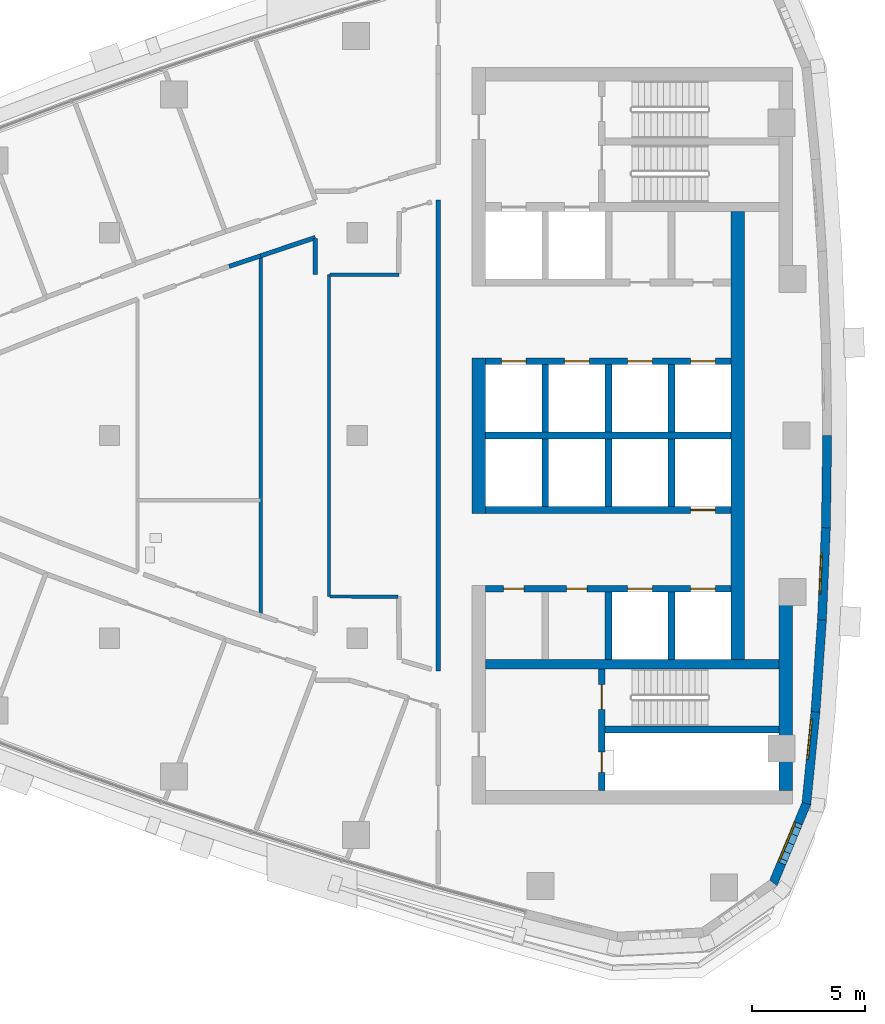
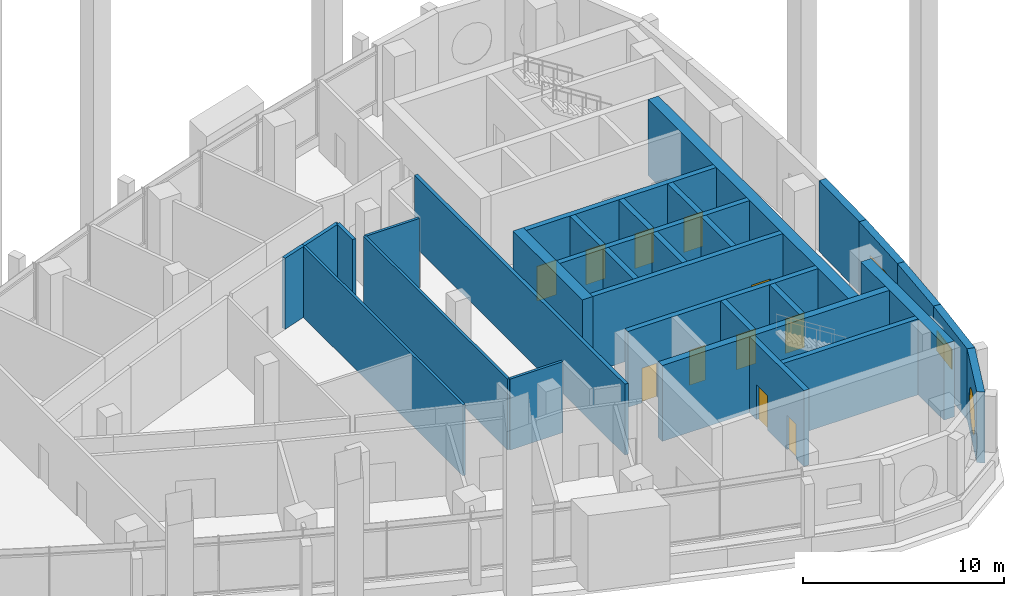
# One storey, part 8 of 15: 31 walls, 11 doors, 3 windows, 14 openings.
"""IFC4 building model written with IfcOpenShell, lengths in metres."""

from ifc_helpers import new_model, si_unit, direction, frame, frame_2d, origin, place, context, subcontext, project, spatial, polyline, rectangle, outline, extrude, material, layer, layer_set, type_object, element, fill, save


model = new_model("IFC4")

# Units and contexts
model_context = context("Model", 3, precision=1e-05, world=origin(), true_north=direction((0.0, 1.0)))
body_context = subcontext(model_context, "Body", "Model", "MODEL_VIEW")
ifc_project = project(units=[si_unit("LENGTHUNIT", "METRE"), si_unit("AREAUNIT", "SQUARE_METRE"), si_unit("VOLUMEUNIT", "CUBIC_METRE"), si_unit("PLANEANGLEUNIT", "RADIAN"), si_unit("MASSUNIT", "GRAM", prefix="KILO")], contexts=[model_context])

# Site, building, storey
site_placement = place(None, origin())
site = spatial("IfcSite", under=ifc_project, at=site_placement, CompositionType="ELEMENT")
building_placement = place(site_placement, origin())
building = spatial("IfcBuilding", under=site, at=building_placement, Name="Ostrand Prow Hotel Tower", CompositionType="ELEMENT")
storey_placement = place(building_placement, frame((0.0, 0.0, 216.199951171875)))
storey = spatial("IfcBuildingStorey", under=building, at=storey_placement, Name="L54", CompositionType="ELEMENT", Elevation=216.199951171875)

# Wall
ifc_material_1 = material(Name="Concrete C50/60", Category="concrete")
ifc_layer_1 = layer(ifc_material_1, 0.300048828125)
ifc_layer_set_1 = layer_set([ifc_layer_1], Name="Concrete C50/60")
wall_type_1 = type_object("IfcWallType", Name="Core wall 300 C50/60", PredefinedType="SHEAR", material=ifc_layer_set_1)
wall_1_placement = place(storey_placement, frame((50.699951171875, 0.0, 0.0), z_axis=(0.0, 0.0, 1.0), x_axis=(1.0, 0.0, 0.0)))
element("IfcWall", 1, at=wall_1_placement, inside=storey, type_object=wall_type_1, Name="Core wall PW-C", PredefinedType="SHEAR", context=body_context, shape_type="SweptSolid", body=[
    extrude(rectangle(XDim=10.900146484375, YDim=0.300048828125, at=frame_2d((5.4501953125, 0.0))), origin(), (0.0, 0.0, 1.0), 4.60009765625),
])

# Wall, openings, doors
wall_2_placement = place(storey_placement, frame((50.699951171875, 3.300048828125, 0.0), z_axis=(0.0, 0.0, 1.0), x_axis=(1.0, 0.0, 0.0)))
wall_2 = element("IfcWall", 2, at=wall_2_placement, inside=storey, type_object=wall_type_1, Name="Core wall PW-L1-N", PredefinedType="SHEAR", context=body_context, shape_type="SweptSolid", body=[
    extrude(rectangle(XDim=10.900146484375, YDim=0.300048828125, at=frame_2d((5.4501953125, 0.0))), origin(), (0.0, 0.0, 1.0), 4.60009765625),
])
opening_1_placement = place(wall_2_placement, frame((0.699951171875, 0.0, 0.0)))
opening_1 = element("IfcOpeningElement", 3, at=opening_1_placement, cuts=wall_2, Name="Opening LD", PredefinedType="OPENING", context=body_context, shape_type="SweptSolid", body=[
    extrude(rectangle(XDim=1.10009765625, YDim=2.10009765625, at=frame_2d((0.550048828125, 1.050048828125))), frame((0.0, 0.159912109375, 0.0), z_axis=(0.0, -1.0, 0.0), x_axis=(1.0, 0.0, 0.0)), (0.0, 0.0, 1.0), 0.320068359375),
])
opening_2_placement = place(wall_2_placement, frame((3.5, 0.0, 0.0)))
opening_2 = element("IfcOpeningElement", 4, at=opening_2_placement, cuts=wall_2, Name="Opening LD", PredefinedType="OPENING", context=body_context, shape_type="SweptSolid", body=[
    extrude(rectangle(XDim=1.10009765625, YDim=2.10009765625, at=frame_2d((0.550048828125, 1.050048828125))), frame((0.0, 0.159912109375, 0.0), z_axis=(0.0, -1.0, 0.0), x_axis=(1.0, 0.0, 0.0)), (0.0, 0.0, 1.0), 0.320068359375),
])
opening_3_placement = place(wall_2_placement, frame((6.300048828125, 0.0, 0.0)))
opening_3 = element("IfcOpeningElement", 5, at=opening_3_placement, cuts=wall_2, Name="Opening LD", PredefinedType="OPENING", context=body_context, shape_type="SweptSolid", body=[
    extrude(rectangle(XDim=1.10009765625, YDim=2.10009765625, at=frame_2d((0.550048828125, 1.050048828125))), frame((0.0, 0.159912109375, 0.0), z_axis=(0.0, -1.0, 0.0), x_axis=(1.0, 0.0, 0.0)), (0.0, 0.0, 1.0), 0.320068359375),
])
opening_4_placement = place(wall_2_placement, frame((9.10009765625, 0.0, 0.0)))
opening_4 = element("IfcOpeningElement", 6, at=opening_4_placement, cuts=wall_2, Name="Opening LD", PredefinedType="OPENING", context=body_context, shape_type="SweptSolid", body=[
    extrude(rectangle(XDim=1.10009765625, YDim=2.10009765625, at=frame_2d((0.550048828125, 1.050048828125))), frame((0.0, 0.159912109375, 0.0), z_axis=(0.0, -1.0, 0.0), x_axis=(1.0, 0.0, 0.0)), (0.0, 0.0, 1.0), 0.320068359375),
])
ifc_material_2 = material(Name="Stainless steel door", Category="steel")
door_type_1 = type_object("IfcDoorType", Name="Lift landing door 1100", OperationType="DOUBLE_DOOR_SLIDING", PredefinedType="DOOR", material=ifc_material_2)
door_1_placement = place(opening_1_placement, origin())
door_1 = element("IfcDoor", 7, at=door_1_placement, inside=storey, type_object=door_type_1, Name="LIFT LANDING DOOR", OperationType="DOUBLE_DOOR_SLIDING", OverallHeight=2.10009765625, OverallWidth=1.10009765625, PredefinedType="DOOR", context=body_context, shape_type="SweptSolid", body=[
    extrude(rectangle(XDim=1.10009765625, YDim=2.10009765625, at=frame_2d((0.550048828125, 1.050048828125))), frame((0.0, 0.02490234375, 0.0), z_axis=(0.0, -1.0, 0.0), x_axis=(1.0, 0.0, 0.0)), (0.0, 0.0, 1.0), 0.050048828125),
])
fill(opening_1, door_1)
door_2_placement = place(opening_2_placement, origin())
door_2 = element("IfcDoor", 8, at=door_2_placement, inside=storey, type_object=door_type_1, Name="LIFT LANDING DOOR", OperationType="DOUBLE_DOOR_SLIDING", OverallHeight=2.10009765625, OverallWidth=1.10009765625, PredefinedType="DOOR", context=body_context, shape_type="SweptSolid", body=[
    extrude(rectangle(XDim=1.10009765625, YDim=2.10009765625, at=frame_2d((0.550048828125, 1.050048828125))), frame((0.0, 0.02490234375, 0.0), z_axis=(0.0, -1.0, 0.0), x_axis=(1.0, 0.0, 0.0)), (0.0, 0.0, 1.0), 0.050048828125),
])
fill(opening_2, door_2)
door_3_placement = place(opening_3_placement, origin())
door_3 = element("IfcDoor", 9, at=door_3_placement, inside=storey, type_object=door_type_1, Name="LIFT LANDING DOOR", OperationType="DOUBLE_DOOR_SLIDING", OverallHeight=2.10009765625, OverallWidth=1.10009765625, PredefinedType="DOOR", context=body_context, shape_type="SweptSolid", body=[
    extrude(rectangle(XDim=1.10009765625, YDim=2.10009765625, at=frame_2d((0.550048828125, 1.050048828125))), frame((0.0, 0.02490234375, 0.0), z_axis=(0.0, -1.0, 0.0), x_axis=(1.0, 0.0, 0.0)), (0.0, 0.0, 1.0), 0.050048828125),
])
fill(opening_3, door_3)
door_4_placement = place(opening_4_placement, origin())
door_4 = element("IfcDoor", 10, at=door_4_placement, inside=storey, type_object=door_type_1, Name="LIFT LANDING DOOR", OperationType="DOUBLE_DOOR_SLIDING", OverallHeight=2.10009765625, OverallWidth=1.10009765625, PredefinedType="DOOR", context=body_context, shape_type="SweptSolid", body=[
    extrude(rectangle(XDim=1.10009765625, YDim=2.10009765625, at=frame_2d((0.550048828125, 1.050048828125))), frame((0.0, 0.02490234375, 0.0), z_axis=(0.0, -1.0, 0.0), x_axis=(1.0, 0.0, 0.0)), (0.0, 0.0, 1.0), 0.050048828125),
])
fill(opening_4, door_4)

# Walls
for number, where, z_axis, x_axis, name in (
    (11, (53.35009765625, 0.14990234375, 0.0), (0.0, 0.0, 1.0), (0.0, 1.0, 0.0), "Core wall PW-R1-NB"),
    (12, (56.14990234375, 0.14990234375, 0.0), (0.0, 0.0, 1.0), (0.0, 1.0, 0.0), "Core wall PW-R2-NB"),
    (13, (58.949951171875, 0.14990234375, 0.0), (0.0, 0.0, 1.0), (0.0, 1.0, 0.0), "Core wall PW-R3-NB"),
):
    element("IfcWall", number, at=place(storey_placement, frame(where, z_axis=z_axis, x_axis=x_axis)), inside=storey, type_object=wall_type_1, Name=name, PredefinedType="SHEAR", context=body_context, shape_type="SweptSolid", body=[
        extrude(rectangle(XDim=3.0, YDim=0.300048828125, at=frame_2d((1.5, 0.0))), origin(), (0.0, 0.0, 1.0), 4.60009765625),
    ])

# Wall, opening, door
wall_3_placement = place(storey_placement, frame((50.699951171875, -3.300048828125, 0.0), z_axis=(0.0, 0.0, 1.0), x_axis=(1.0, 0.0, 0.0)))
wall_3 = element("IfcWall", 14, at=wall_3_placement, inside=storey, type_object=wall_type_1, Name="Core wall PW-L1-S", PredefinedType="SHEAR", context=body_context, shape_type="SweptSolid", body=[
    extrude(rectangle(XDim=10.900146484375, YDim=0.300048828125, at=frame_2d((5.4501953125, 0.0))), origin(), (0.0, 0.0, 1.0), 4.60009765625),
])
opening_5_placement = place(wall_3_placement, frame((9.10009765625, 0.0, 0.0)))
opening_5 = element("IfcOpeningElement", 15, at=opening_5_placement, cuts=wall_3, Name="Opening LD", PredefinedType="OPENING", context=body_context, shape_type="SweptSolid", body=[
    extrude(rectangle(XDim=1.10009765625, YDim=2.10009765625, at=frame_2d((0.550048828125, 1.050048828125))), frame((0.0, 0.159912109375, 0.0), z_axis=(0.0, -1.0, 0.0), x_axis=(1.0, 0.0, 0.0)), (0.0, 0.0, 1.0), 0.320068359375),
])
door_5_placement = place(opening_5_placement, origin())
door_5 = element("IfcDoor", 16, at=door_5_placement, inside=storey, type_object=door_type_1, Name="LIFT LANDING DOOR", OperationType="DOUBLE_DOOR_SLIDING", OverallHeight=2.10009765625, OverallWidth=1.10009765625, PredefinedType="DOOR", context=body_context, shape_type="SweptSolid", body=[
    extrude(rectangle(XDim=1.10009765625, YDim=2.10009765625, at=frame_2d((0.550048828125, 1.050048828125))), frame((0.0, 0.02490234375, 0.0), z_axis=(0.0, -1.0, 0.0), x_axis=(1.0, 0.0, 0.0)), (0.0, 0.0, 1.0), 0.050048828125),
])
fill(opening_5, door_5)

# Wall, openings, doors
wall_4_placement = place(storey_placement, frame((50.699951171875, -6.800048828125, 0.0), z_axis=(0.0, 0.0, 1.0), x_axis=(1.0, 0.0, 0.0)))
wall_4 = element("IfcWall", 17, at=wall_4_placement, inside=storey, type_object=wall_type_1, Name="Core wall PW-L2-S", PredefinedType="SHEAR", context=body_context, shape_type="SweptSolid", body=[
    extrude(rectangle(XDim=10.900146484375, YDim=0.300048828125, at=frame_2d((5.4501953125, 0.0))), origin(), (0.0, 0.0, 1.0), 4.60009765625),
])
opening_6_placement = place(wall_4_placement, frame((6.300048828125, 0.0, 0.0)))
opening_6 = element("IfcOpeningElement", 18, at=opening_6_placement, cuts=wall_4, Name="Opening LD", PredefinedType="OPENING", context=body_context, shape_type="SweptSolid", body=[
    extrude(rectangle(XDim=1.10009765625, YDim=2.10009765625, at=frame_2d((0.550048828125, 1.050048828125))), frame((0.0, 0.159912109375, 0.0), z_axis=(0.0, -1.0, 0.0), x_axis=(1.0, 0.0, 0.0)), (0.0, 0.0, 1.0), 0.320068359375),
])
opening_7_placement = place(wall_4_placement, frame((9.10009765625, 0.0, 0.0)))
opening_7 = element("IfcOpeningElement", 19, at=opening_7_placement, cuts=wall_4, Name="Opening LD", PredefinedType="OPENING", context=body_context, shape_type="SweptSolid", body=[
    extrude(rectangle(XDim=1.10009765625, YDim=2.10009765625, at=frame_2d((0.550048828125, 1.050048828125))), frame((0.0, 0.159912109375, 0.0), z_axis=(0.0, -1.0, 0.0), x_axis=(1.0, 0.0, 0.0)), (0.0, 0.0, 1.0), 0.320068359375),
])
opening_8_placement = place(wall_4_placement, frame((0.800048828125, 0.0, 0.0)))
opening_8 = element("IfcOpeningElement", 20, at=opening_8_placement, cuts=wall_4, Name="Opening FD2", PredefinedType="OPENING", context=body_context, shape_type="SweptSolid", body=[
    extrude(rectangle(XDim=0.89990234375, YDim=2.10009765625, at=frame_2d((0.449951171875, 1.050048828125))), frame((0.0, 0.159912109375, 0.0), z_axis=(0.0, -1.0, 0.0), x_axis=(1.0, 0.0, 0.0)), (0.0, 0.0, 1.0), 0.320068359375),
])
opening_9_placement = place(wall_4_placement, frame((3.60009765625, 0.0, 0.0)))
opening_9 = element("IfcOpeningElement", 21, at=opening_9_placement, cuts=wall_4, Name="Opening FD2", PredefinedType="OPENING", context=body_context, shape_type="SweptSolid", body=[
    extrude(rectangle(XDim=0.89990234375, YDim=2.10009765625, at=frame_2d((0.449951171875, 1.050048828125))), frame((0.0, 0.159912109375, 0.0), z_axis=(0.0, -1.0, 0.0), x_axis=(1.0, 0.0, 0.0)), (0.0, 0.0, 1.0), 0.320068359375),
])
ifc_material_3 = material(Name="Steel fire door", Category="steel")
door_type_2 = type_object("IfcDoorType", Name="Fire door 900 EI120", OperationType="SINGLE_SWING_LEFT", PredefinedType="DOOR", material=ifc_material_3)
door_6_placement = place(opening_8_placement, origin())
door_6 = element("IfcDoor", 22, at=door_6_placement, inside=storey, type_object=door_type_2, Name="DOOR", OperationType="SINGLE_SWING_LEFT", OverallHeight=2.10009765625, OverallWidth=0.89990234375, PredefinedType="DOOR", context=body_context, shape_type="SweptSolid", body=[
    extrude(rectangle(XDim=0.89990234375, YDim=2.10009765625, at=frame_2d((0.449951171875, 1.050048828125))), frame((0.0, 0.02490234375, 0.0), z_axis=(0.0, -1.0, 0.0), x_axis=(1.0, 0.0, 0.0)), (0.0, 0.0, 1.0), 0.050048828125),
])
fill(opening_8, door_6)
door_7_placement = place(opening_9_placement, origin())
door_7 = element("IfcDoor", 23, at=door_7_placement, inside=storey, type_object=door_type_2, Name="DOOR", OperationType="SINGLE_SWING_LEFT", OverallHeight=2.10009765625, OverallWidth=0.89990234375, PredefinedType="DOOR", context=body_context, shape_type="SweptSolid", body=[
    extrude(rectangle(XDim=0.89990234375, YDim=2.10009765625, at=frame_2d((0.449951171875, 1.050048828125))), frame((0.0, 0.02490234375, 0.0), z_axis=(0.0, -1.0, 0.0), x_axis=(1.0, 0.0, 0.0)), (0.0, 0.0, 1.0), 0.050048828125),
])
fill(opening_9, door_7)
door_8_placement = place(opening_6_placement, origin())
door_8 = element("IfcDoor", 24, at=door_8_placement, inside=storey, type_object=door_type_1, Name="LIFT LANDING DOOR", OperationType="DOUBLE_DOOR_SLIDING", OverallHeight=2.10009765625, OverallWidth=1.10009765625, PredefinedType="DOOR", context=body_context, shape_type="SweptSolid", body=[
    extrude(rectangle(XDim=1.10009765625, YDim=2.10009765625, at=frame_2d((0.550048828125, 1.050048828125))), frame((0.0, 0.02490234375, 0.0), z_axis=(0.0, -1.0, 0.0), x_axis=(1.0, 0.0, 0.0)), (0.0, 0.0, 1.0), 0.050048828125),
])
fill(opening_6, door_8)
door_9_placement = place(opening_7_placement, origin())
door_9 = element("IfcDoor", 25, at=door_9_placement, inside=storey, type_object=door_type_1, Name="LIFT LANDING DOOR", OperationType="DOUBLE_DOOR_SLIDING", OverallHeight=2.10009765625, OverallWidth=1.10009765625, PredefinedType="DOOR", context=body_context, shape_type="SweptSolid", body=[
    extrude(rectangle(XDim=1.10009765625, YDim=2.10009765625, at=frame_2d((0.550048828125, 1.050048828125))), frame((0.0, 0.02490234375, 0.0), z_axis=(0.0, -1.0, 0.0), x_axis=(1.0, 0.0, 0.0)), (0.0, 0.0, 1.0), 0.050048828125),
])
fill(opening_7, door_9)

# Walls
for number, where, z_axis, x_axis, name in (
    (26, (53.35009765625, -3.14990234375, 0.0), (0.0, 0.0, 1.0), (0.0, 1.0, 0.0), "Core wall PW-R1-SB"),
    (27, (56.14990234375, -3.14990234375, 0.0), (0.0, 0.0, 1.0), (0.0, 1.0, 0.0), "Core wall PW-R2-SB"),
    (28, (56.14990234375, -9.949951171875, 0.0), (0.0, 0.0, 1.0), (0.0, 1.0, 0.0), "Core wall PW-R2-SA"),
    (29, (58.949951171875, -3.14990234375, 0.0), (0.0, 0.0, 1.0), (0.0, 1.0, 0.0), "Core wall PW-R3-SB"),
    (30, (58.949951171875, -9.949951171875, 0.0), (0.0, 0.0, 1.0), (0.0, 1.0, 0.0), "Core wall PW-R3-SA"),
):
    element("IfcWall", number, at=place(storey_placement, frame(where, z_axis=z_axis, x_axis=x_axis)), inside=storey, type_object=wall_type_1, Name=name, PredefinedType="SHEAR", context=body_context, shape_type="SweptSolid", body=[
        extrude(rectangle(XDim=3.0, YDim=0.300048828125, at=frame_2d((1.5, 0.0))), origin(), (0.0, 0.0, 1.0), 4.60009765625),
    ])

# Wall, openings, doors
wall_5_placement = place(storey_placement, frame((55.85009765625, -15.75, 0.0), z_axis=(0.0, 0.0, 1.0), x_axis=(0.0, 1.0, 0.0)))
wall_5 = element("IfcWall", 31, at=wall_5_placement, inside=storey, type_object=wall_type_1, Name="Core wall PW-VS", PredefinedType="SHEAR", context=body_context, shape_type="SweptSolid", body=[
    extrude(rectangle(XDim=5.39990234375, YDim=0.300048828125, at=frame_2d((2.699951171875, 0.0))), origin(), (0.0, 0.0, 1.0), 4.60009765625),
])
opening_10_placement = place(wall_5_placement, frame((3.60009765625, 0.0, 0.0)))
opening_10 = element("IfcOpeningElement", 32, at=opening_10_placement, cuts=wall_5, Name="Opening FD1", PredefinedType="OPENING", context=body_context, shape_type="SweptSolid", body=[
    extrude(rectangle(XDim=1.10009765625, YDim=2.10009765625, at=frame_2d((0.550048828125, 1.050048828125))), frame((0.0, 0.159912109375, 0.0), z_axis=(0.0, -1.0, 0.0), x_axis=(1.0, 0.0, 0.0)), (0.0, 0.0, 1.0), 0.320068359375),
])
opening_11_placement = place(wall_5_placement, frame((0.800048828125, 0.0, 0.0)))
opening_11 = element("IfcOpeningElement", 33, at=opening_11_placement, cuts=wall_5, Name="Opening FD2", PredefinedType="OPENING", context=body_context, shape_type="SweptSolid", body=[
    extrude(rectangle(XDim=0.89990234375, YDim=2.10009765625, at=frame_2d((0.449951171875, 1.050048828125))), frame((0.0, 0.159912109375, 0.0), z_axis=(0.0, -1.0, 0.0), x_axis=(1.0, 0.0, 0.0)), (0.0, 0.0, 1.0), 0.320068359375),
])
ifc_material_4 = material(Name="Steel fire door", Category="steel")
door_type_3 = type_object("IfcDoorType", Name="Fire door 1100 EI120", OperationType="SINGLE_SWING_RIGHT", PredefinedType="DOOR", material=ifc_material_4)
door_10_placement = place(opening_10_placement, origin())
door_10 = element("IfcDoor", 34, at=door_10_placement, inside=storey, type_object=door_type_3, Name="FIRE DOOR", OperationType="SINGLE_SWING_RIGHT", OverallHeight=2.10009765625, OverallWidth=1.10009765625, PredefinedType="DOOR", context=body_context, shape_type="SweptSolid", body=[
    extrude(rectangle(XDim=1.10009765625, YDim=2.10009765625, at=frame_2d((0.550048828125, 1.050048828125))), frame((0.0, 0.02490234375, 0.0), z_axis=(0.0, -1.0, 0.0), x_axis=(1.0, 0.0, 0.0)), (0.0, 0.0, 1.0), 0.050048828125),
])
fill(opening_10, door_10)
door_11_placement = place(opening_11_placement, origin())
door_11 = element("IfcDoor", 35, at=door_11_placement, inside=storey, type_object=door_type_2, Name="FIRE DOOR", OperationType="SINGLE_SWING_LEFT", OverallHeight=2.10009765625, OverallWidth=0.89990234375, PredefinedType="DOOR", context=body_context, shape_type="SweptSolid", body=[
    extrude(rectangle(XDim=0.89990234375, YDim=2.10009765625, at=frame_2d((0.449951171875, 1.050048828125))), frame((0.0, 0.02490234375, 0.0), z_axis=(0.0, -1.0, 0.0), x_axis=(1.0, 0.0, 0.0)), (0.0, 0.0, 1.0), 0.050048828125),
])
fill(opening_11, door_11)

# Walls
wall_6_placement = place(storey_placement, frame((56.0, -13.050048828125, 0.0), z_axis=(0.0, 0.0, 1.0), x_axis=(1.0, 0.0, 0.0)))
element("IfcWall", 36, at=wall_6_placement, inside=storey, type_object=wall_type_1, Name="Core wall PW-ST2R", PredefinedType="SHEAR", context=body_context, shape_type="SweptSolid", body=[
    extrude(rectangle(XDim=7.719970703125, YDim=0.300048828125, at=frame_2d((3.85986328125, 0.0))), origin(), (0.0, 0.0, 1.0), 4.60009765625),
])
ifc_material_5 = material(Name="Concrete C50/60", Category="concrete")
ifc_layer_2 = layer(ifc_material_5, 0.39990234375)
ifc_layer_set_2 = layer_set([ifc_layer_2], Name="Concrete C50/60")
wall_type_2 = type_object("IfcWallType", Name="Core wall 400 C50/60", PredefinedType="SHEAR", material=ifc_layer_set_2)
wall_7_placement = place(storey_placement, frame((50.699951171875, -10.14990234375, 0.0), z_axis=(0.0, 0.0, 1.0), x_axis=(1.0, 0.0, 0.0)))
element("IfcWall", 37, at=wall_7_placement, inside=storey, type_object=wall_type_2, Name="Core wall PW-BS", PredefinedType="SHEAR", context=body_context, shape_type="SweptSolid", body=[
    extrude(rectangle(XDim=13.02001953125, YDim=0.39990234375, at=frame_2d((6.510009765625, 0.0))), origin(), (0.0, 0.0, 1.0), 4.60009765625),
])
ifc_material_6 = material(Name="Concrete C50/60", Category="concrete")
ifc_layer_3 = layer(ifc_material_6, 0.60009765625)
ifc_layer_set_3 = layer_set([ifc_layer_3], Name="Concrete C50/60")
wall_type_3 = type_object("IfcWallType", Name="Core wall 600 C50/60", PredefinedType="SHEAR", material=ifc_layer_set_3)
wall_8_placement = place(storey_placement, frame((50.39990234375, -3.449951171875, 0.0), z_axis=(0.0, 0.0, 1.0), x_axis=(0.0, 1.0, 0.0)))
element("IfcWall", 38, at=wall_8_placement, inside=storey, type_object=wall_type_3, Name="Core wall CW-W-C", PredefinedType="SHEAR", context=body_context, shape_type="SweptSolid", body=[
    extrude(rectangle(XDim=6.89990234375, YDim=0.60009765625, at=frame_2d((3.449951171875, 0.0))), origin(), (0.0, 0.0, 1.0), 4.60009765625),
])
wall_9_placement = place(storey_placement, frame((64.02001953125, -15.75, 0.0), z_axis=(0.0, 0.0, 1.0), x_axis=(0.0, 1.0, 0.0)))
element("IfcWall", 39, at=wall_9_placement, inside=storey, type_object=wall_type_3, Name="Core wall CW-E-S", PredefinedType="SHEAR", context=body_context, shape_type="SweptSolid", body=[
    extrude(rectangle(XDim=8.247802734375, YDim=0.60009765625, at=frame_2d((4.1240234375, 0.0))), origin(), (0.0, 0.0, 1.0), 4.60009765625),
])
wall_10_placement = place(storey_placement, frame((61.89990234375, -9.949951171875, 0.0), z_axis=(0.0, 0.0, 1.0), x_axis=(0.0, 1.0, 0.0)))
element("IfcWall", 40, at=wall_10_placement, inside=storey, type_object=wall_type_3, Name="Core wall CW-E-C", PredefinedType="SHEAR", context=body_context, shape_type="SweptSolid", body=[
    extrude(rectangle(XDim=19.89990234375, YDim=0.60009765625, at=frame_2d((9.949951171875, 0.0))), origin(), (0.0, 0.0, 1.0), 4.60009765625),
])
ifc_material_7 = material(Name="Plasterboard partition")
ifc_layer_4 = layer(ifc_material_7, 0.14990234375)
ifc_layer_set_4 = layer_set([ifc_layer_4], Name="Plasterboard partition")
wall_type_4 = type_object("IfcWallType", Name="Partition 150 room partition", PredefinedType="PARTITIONING", material=ifc_layer_set_4)
wall_11_placement = place(storey_placement, frame((40.70947265625, -7.978759765625, 0.0), z_axis=(0.0, 0.0, 1.0), x_axis=(0.0, 1.0, 0.0)))
element("IfcWall", 41, at=wall_11_placement, inside=storey, type_object=wall_type_4, Name="ROOM PARTITION", PredefinedType="PARTITIONING", context=body_context, shape_type="SweptSolid", body=[
    extrude(rectangle(XDim=15.95751953125, YDim=0.14990234375, at=frame_2d((7.978759765625, 0.0))), origin(), (0.0, 0.0, 1.0), 4.300048828125),
])
wall_12_placement = place(storey_placement, frame((43.744384765625, -7.14990234375, 0.0), z_axis=(0.0, 0.0, 1.0), x_axis=(0.0, 1.0, 0.0)))
element("IfcWall", 42, at=wall_12_placement, inside=storey, type_object=wall_type_4, Name="ROOM PARTITION", PredefinedType="PARTITIONING", context=body_context, shape_type="SweptSolid", body=[
    extrude(rectangle(XDim=14.2998046875, YDim=0.14990234375, at=frame_2d((7.14990234375, 0.0))), origin(), (0.0, 0.0, 1.0), 4.300048828125),
])
wall_13_placement = place(storey_placement, frame((43.7841796875, 7.14501953125, 0.0), z_axis=(0.0, 0.0, 1.0), x_axis=(0.999999971515, 0.000238682466, 0.0)))
element("IfcWall", 43, at=wall_13_placement, inside=storey, type_object=wall_type_4, Name="ROOM PARTITION", PredefinedType="PARTITIONING", context=body_context, shape_type="SweptSolid", body=[
    extrude(rectangle(XDim=3.068603515625, YDim=0.14990234375, at=frame_2d((1.5341796875, 0.0))), origin(), (0.0, 0.0, 1.0), 4.300048828125),
])
wall_14_placement = place(storey_placement, frame((46.812744140625, -7.145751953125, 0.0), z_axis=(0.0, 0.0, 1.0), x_axis=(-0.999999970757, 0.000241837961, 0.0)))
element("IfcWall", 44, at=wall_14_placement, inside=storey, type_object=wall_type_4, Name="ROOM PARTITION", PredefinedType="PARTITIONING", context=body_context, shape_type="SweptSolid", body=[
    extrude(rectangle(XDim=3.028564453125, YDim=0.14990234375, at=frame_2d((1.51416015625, 0.0))), origin(), (0.0, 0.0, 1.0), 4.300048828125),
])
ifc_material_8 = material(Name="Plasterboard partition")
ifc_layer_5 = layer(ifc_material_8, 0.199951171875)
ifc_layer_set_5 = layer_set([ifc_layer_5], Name="Plasterboard partition")
wall_type_5 = type_object("IfcWallType", Name="Partition 200 corridor wall", PredefinedType="PARTITIONING", material=ifc_layer_set_5)
wall_15_placement = place(storey_placement, frame((39.313720703125, 7.512451171875, 0.0), z_axis=(0.0, 0.0, 1.0), x_axis=(0.94846740352, 0.316874714137, 0.0)))
element("IfcWall", 45, at=wall_15_placement, inside=storey, type_object=wall_type_5, Name="CORRIDOR WALL", PredefinedType="PARTITIONING", context=body_context, shape_type="SweptSolid", body=[
    extrude(rectangle(XDim=1.4716796875, YDim=0.199951171875, at=frame_2d((0.73583984375, 0.0))), origin(), (0.0, 0.0, 1.0), 4.300048828125),
])
wall_16_placement = place(storey_placement, frame((40.70947265625, 7.978759765625, 0.0), z_axis=(0.0, 0.0, 1.0), x_axis=(0.948473756095, 0.316855699016, 0.0)))
element("IfcWall", 46, at=wall_16_placement, inside=storey, type_object=wall_type_5, Name="CORRIDOR WALL", PredefinedType="PARTITIONING", context=body_context, shape_type="SweptSolid", body=[
    extrude(rectangle(XDim=2.56591796875, YDim=0.199951171875, at=frame_2d((1.282958984375, 0.0))), origin(), (0.0, 0.0, 1.0), 4.300048828125),
])
wall_17_placement = place(storey_placement, frame((43.14306640625, 8.74951171875, 0.0), z_axis=(0.0, 0.0, 1.0), x_axis=(0.001524156132, -0.999998838473, 0.0)))
element("IfcWall", 47, at=wall_17_placement, inside=storey, type_object=wall_type_5, Name="CORRIDOR WALL", PredefinedType="PARTITIONING", context=body_context, shape_type="SweptSolid", body=[
    extrude(rectangle(XDim=1.601806640625, YDim=0.199951171875, at=frame_2d((0.80078125, 0.0))), origin(), (0.0, 0.0, 1.0), 4.300048828125),
])
wall_18_placement = place(storey_placement, frame((48.594970703125, 10.451416015625, 0.0), z_axis=(0.0, 0.0, 1.0), x_axis=(0.0, -1.0, 0.0)))
element("IfcWall", 48, at=wall_18_placement, inside=storey, type_object=wall_type_5, Name="CORRIDOR WALL", PredefinedType="PARTITIONING", context=body_context, shape_type="SweptSolid", body=[
    extrude(rectangle(XDim=20.90283203125, YDim=0.199951171875, at=frame_2d((10.451416015625, 0.0))), origin(), (0.0, 0.0, 1.0), 4.300048828125),
])

# Wall, opening, window
ifc_material_9 = material(Name="Precast concrete C40/50", Category="concrete")
ifc_layer_6 = layer(ifc_material_9, 0.39990234375)
ifc_layer_set_6 = layer_set([ifc_layer_6], Name="Precast concrete C40/50")
wall_type_6 = type_object("IfcWallType", Name="Stone-faced precast wall 400 mm", PredefinedType="NOTDEFINED", material=ifc_layer_set_6)
wall_19_placement = place(storey_placement, frame((63.471435546875, -19.85791015625, 0.0), z_axis=(0.0, 0.0, 1.0), x_axis=(0.3844335483, 0.923152667191, 0.0)))
wall_19 = element("IfcWall", 49, at=wall_19_placement, inside=storey, type_object=wall_type_6, Name="Stone-faced wall back 4", PredefinedType="NOTDEFINED", context=body_context, shape_type="SweptSolid", body=[
    extrude(outline(polyline([(-0.057861328125, -0.199951171875), (3.84326171875, -0.199951171875), (3.78369140625, 0.199951171875), (0.057861328125, 0.199951171875), (-0.057861328125, -0.199951171875)])), origin(), (0.0, 0.0, 1.0), 4.300048828125),
])
opening_12_placement = place(wall_19_placement, frame((0.806884765625, 0.0, 0.60009765625)))
opening_12 = element("IfcOpeningElement", 50, at=opening_12_placement, cuts=wall_19, Name="Opening WP2", PredefinedType="OPENING", context=body_context, shape_type="SweptSolid", body=[
    extrude(outline(polyline([(0.0, 1.35009765625), (0.083740234375, 1.77099609375), (0.322265625, 2.127685546875), (0.678955078125, 2.3662109375), (1.10009765625, 2.449951171875), (1.52099609375, 2.3662109375), (1.877685546875, 2.127685546875), (2.1162109375, 1.77099609375), (2.199951171875, 1.35009765625), (2.199951171875, 1.10009765625), (2.1162109375, 0.678955078125), (1.877685546875, 0.322265625), (1.52099609375, 0.083740234375), (1.10009765625, 0.0), (0.678955078125, 0.083740234375), (0.322265625, 0.322265625), (0.083740234375, 0.678955078125), (0.0, 1.099853515625), (0.0, 1.35009765625)])), frame((0.0, 0.2099609375, 0.0), z_axis=(0.0, -1.0, 0.0), x_axis=(1.0, 0.0, 0.0)), (0.0, 0.0, 1.0), 0.419921875),
])
ifc_material_10 = material(Name="Insulated glass in bronze frame", Category="glass")
window_type_1 = type_object("IfcWindowType", Name="Round-ended prow lounge window 2200x2450", PartitioningType="SINGLE_PANEL", PredefinedType="WINDOW", material=ifc_material_10)
window_1_placement = place(opening_12_placement, origin())
window_1 = element("IfcWindow", 51, at=window_1_placement, inside=storey, type_object=window_type_1, Name="Window back 4.1", OverallHeight=2.449951171875, OverallWidth=2.199951171875, PartitioningType="SINGLE_PANEL", PredefinedType="WINDOW", context=body_context, shape_type="SweptSolid", body=[
    extrude(outline(polyline([(0.0, 1.35009765625), (0.083740234375, 1.77099609375), (0.322265625, 2.127685546875), (0.678955078125, 2.3662109375), (1.10009765625, 2.449951171875), (1.52099609375, 2.3662109375), (1.877685546875, 2.127685546875), (2.1162109375, 1.77099609375), (2.199951171875, 1.35009765625), (2.199951171875, 1.10009765625), (2.1162109375, 0.678955078125), (1.877685546875, 0.322265625), (1.52099609375, 0.083740234375), (1.10009765625, 0.0), (0.678955078125, 0.083740234375), (0.322265625, 0.322265625), (0.083740234375, 0.678955078125), (0.0, 1.099853515625), (0.0, 1.35009765625)])), frame((0.0, 0.169921875, 0.0), z_axis=(0.0, -1.0, 0.0), x_axis=(1.0, 0.0, 0.0)), (0.0, 0.0, 1.0), 0.06005859375),
])
fill(opening_12, window_1)

wall_20_placement = place(storey_placement, frame((64.9375, -16.33740234375, 0.0), z_axis=(0.0, 0.0, 1.0), x_axis=(0.098718218066, 0.995115427185, 0.0)))
wall_20 = element("IfcWall", 52, at=wall_20_placement, inside=storey, type_object=wall_type_6, Name="Stone-faced wall back 5", PredefinedType="NOTDEFINED", context=body_context, shape_type="SweptSolid", body=[
    extrude(outline(polyline([(-0.02978515625, -0.199951171875), (4.095703125, -0.199951171875), (4.09033203125, 0.199951171875), (0.02978515625, 0.199951171875), (-0.02978515625, -0.199951171875)])), origin(), (0.0, 0.0, 1.0), 4.300048828125),
])
opening_13_placement = place(wall_20_placement, frame((1.975830078125, 0.0, 1.800048828125)))
opening_13 = element("IfcOpeningElement", 53, at=opening_13_placement, cuts=wall_20, Name="Opening WC1", PredefinedType="OPENING", context=body_context, shape_type="SweptSolid", body=[
    extrude(rectangle(XDim=1.800048828125, YDim=1.199951171875, at=frame_2d((0.89990234375, 0.60009765625))), frame((0.0, 0.2099609375, 0.0), z_axis=(0.0, -1.0, 0.0), x_axis=(1.0, 0.0, 0.0)), (0.0, 0.0, 1.0), 0.419921875),
])
ifc_material_11 = material(Name="Insulated glass in bronze frame", Category="glass")
window_type_2 = type_object("IfcWindowType", Name="Sky lobby clerestory window 1800x1200", PartitioningType="SINGLE_PANEL", PredefinedType="WINDOW", material=ifc_material_11)
window_2_placement = place(opening_13_placement, origin())
window_2 = element("IfcWindow", 54, at=window_2_placement, inside=storey, type_object=window_type_2, Name="Window back 5.1", OverallHeight=1.199951171875, OverallWidth=1.800048828125, PartitioningType="SINGLE_PANEL", PredefinedType="WINDOW", context=body_context, shape_type="SweptSolid", body=[
    extrude(rectangle(XDim=1.800048828125, YDim=1.199951171875, at=frame_2d((0.89990234375, 0.60009765625))), frame((0.0, 0.169921875, 0.0), z_axis=(0.0, -1.0, 0.0), x_axis=(1.0, 0.0, 0.0)), (0.0, 0.0, 1.0), 0.06005859375),
])
fill(opening_13, window_2)

# Wall
wall_21_placement = place(storey_placement, frame((65.341552734375, -12.264404296875, 0.0), z_axis=(0.0, 0.0, 1.0), x_axis=(0.070623905352, 0.997503014528, 0.0)))
element("IfcWall", 55, at=wall_21_placement, inside=storey, type_object=wall_type_6, Name="Stone-faced wall back 6", PredefinedType="NOTDEFINED", context=body_context, shape_type="SweptSolid", body=[
    extrude(outline(polyline([(-0.002685546875, -0.199951171875), (4.095703125, -0.199951171875), (4.09033203125, 0.199951171875), (0.002685546875, 0.199951171875), (-0.002685546875, -0.199951171875)])), origin(), (0.0, 0.0, 1.0), 4.300048828125),
])

# Wall, opening, window
wall_22_placement = place(storey_placement, frame((65.630615234375, -8.181640625, 0.0), z_axis=(0.0, 0.0, 1.0), x_axis=(0.042352554594, 0.999102728011, 0.0)))
wall_22 = element("IfcWall", 56, at=wall_22_placement, inside=storey, type_object=wall_type_6, Name="Stone-faced wall back 7", PredefinedType="NOTDEFINED", context=body_context, shape_type="SweptSolid", body=[
    extrude(outline(polyline([(-0.002685546875, -0.199951171875), (4.095458984375, -0.199951171875), (4.090087890625, 0.199951171875), (0.002685546875, 0.199951171875), (-0.002685546875, -0.199951171875)])), origin(), (0.0, 0.0, 1.0), 4.300048828125),
])
opening_14_placement = place(wall_22_placement, frame((1.146484375, 0.0, 1.800048828125)))
opening_14 = element("IfcOpeningElement", 57, at=opening_14_placement, cuts=wall_22, Name="Opening WC1", PredefinedType="OPENING", context=body_context, shape_type="SweptSolid", body=[
    extrude(rectangle(XDim=1.800048828125, YDim=1.199951171875, at=frame_2d((0.89990234375, 0.60009765625))), frame((0.0, 0.2099609375, 0.0), z_axis=(0.0, -1.0, 0.0), x_axis=(1.0, 0.0, 0.0)), (0.0, 0.0, 1.0), 0.419921875),
])
window_3_placement = place(opening_14_placement, origin())
window_3 = element("IfcWindow", 58, at=window_3_placement, inside=storey, type_object=window_type_2, Name="Window back 7.1", OverallHeight=1.199951171875, OverallWidth=1.800048828125, PartitioningType="SINGLE_PANEL", PredefinedType="WINDOW", context=body_context, shape_type="SweptSolid", body=[
    extrude(rectangle(XDim=1.800048828125, YDim=1.199951171875, at=frame_2d((0.89990234375, 0.60009765625))), frame((0.0, 0.169921875, 0.0), z_axis=(0.0, -1.0, 0.0), x_axis=(1.0, 0.0, 0.0)), (0.0, 0.0, 1.0), 0.06005859375),
])
fill(opening_14, window_3)

# Wall
wall_23_placement = place(storey_placement, frame((65.803955078125, -4.092529296875, 0.0), z_axis=(0.0, 0.0, 1.0), x_axis=(0.014136867892, 0.99990006949, 0.0)))
element("IfcWall", 59, at=wall_23_placement, inside=storey, type_object=wall_type_6, Name="Stone-faced wall back 8", PredefinedType="NOTDEFINED", context=body_context, shape_type="SweptSolid", body=[
    extrude(outline(polyline([(-0.002685546875, -0.199951171875), (4.095703125, -0.199951171875), (4.09033203125, 0.199951171875), (0.002685546875, 0.199951171875), (-0.002685546875, -0.199951171875)])), origin(), (0.0, 0.0, 1.0), 4.300048828125),
])

save(model, "model.ifc")
